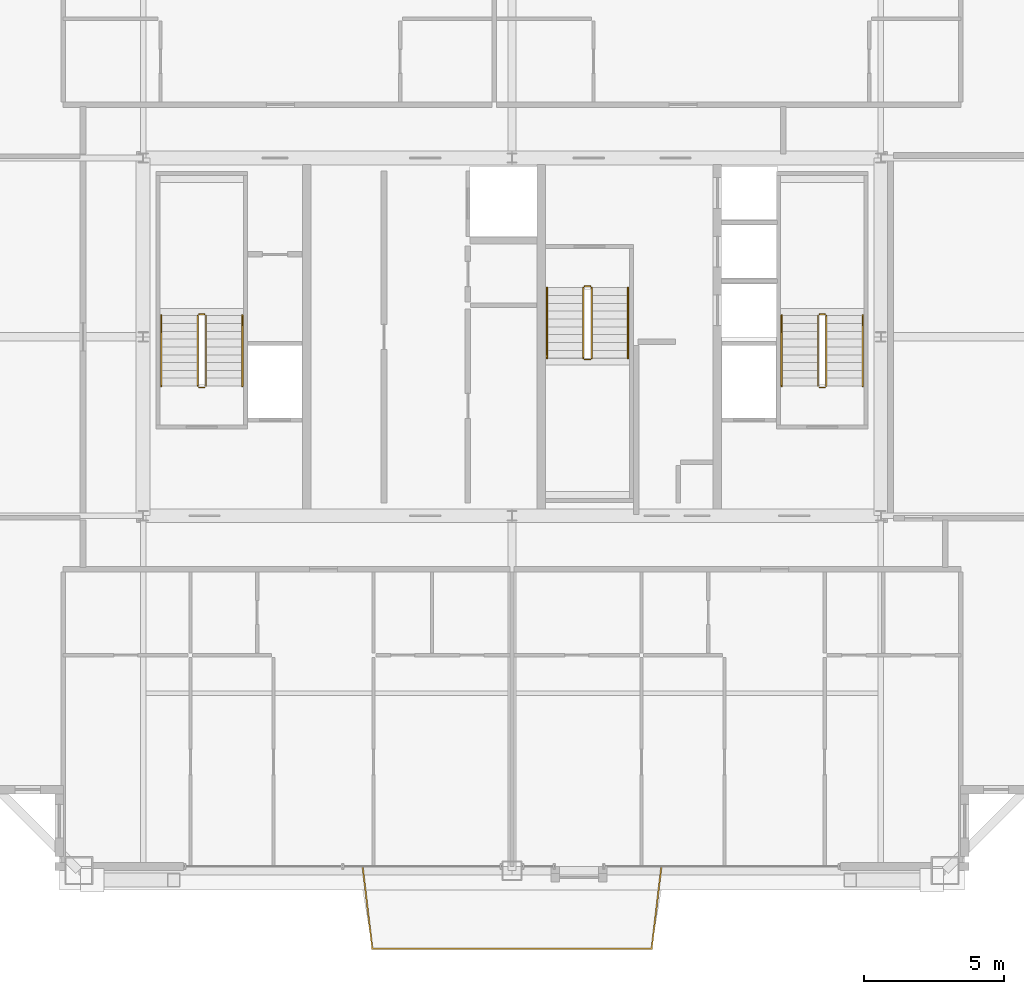
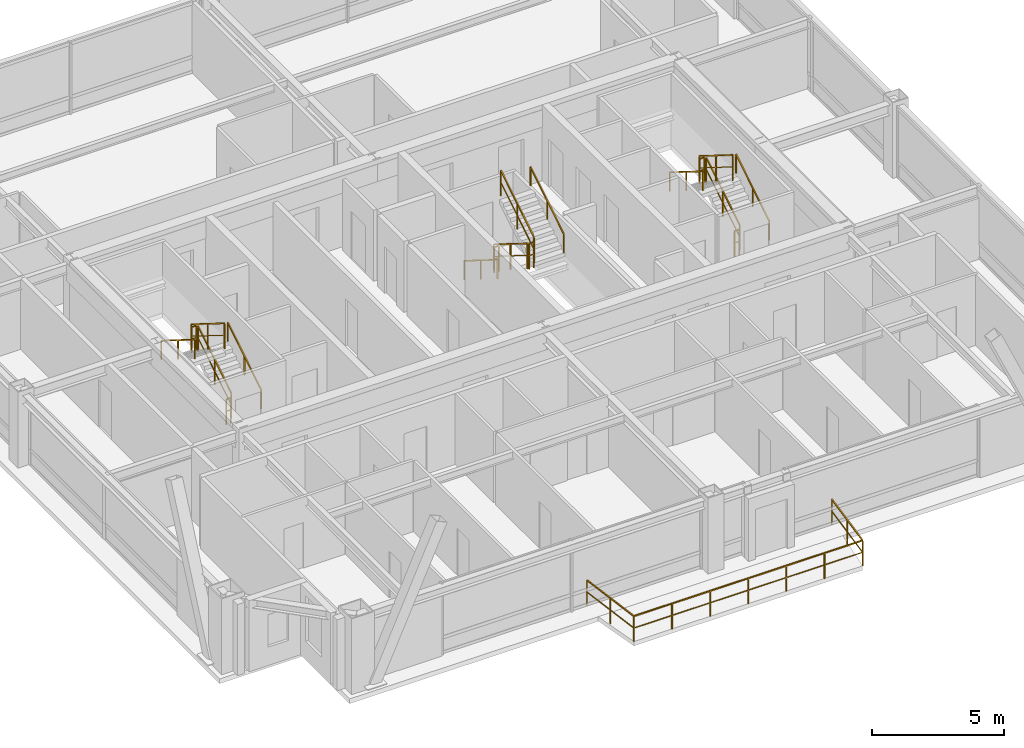
# One storey, part 34 of 34: 19 railings.
"""IFC4 building model written with IfcOpenShell, lengths in metres."""

from ifc_helpers import new_model, si_unit, direction, frame, origin, origin_2d, place, context, subcontext, project, spatial, rectangle, extrude, source, transform, mapped, material, layer, layer_set, type_object, element, save


model = new_model("IFC4")

# Units and contexts
model_context = context("Model", 3, precision=1e-05, world=origin(), true_north=direction((0.0, 1.0)))
body_context = subcontext(model_context, "Body", "Model", "MODEL_VIEW")
ifc_project = project(units=[si_unit("LENGTHUNIT", "METRE"), si_unit("AREAUNIT", "SQUARE_METRE"), si_unit("VOLUMEUNIT", "CUBIC_METRE"), si_unit("PLANEANGLEUNIT", "RADIAN"), si_unit("MASSUNIT", "GRAM", prefix="KILO"), si_unit("THERMODYNAMICTEMPERATUREUNIT", "KELVIN"), si_unit("POWERUNIT", "WATT")], contexts=[model_context])

# Site, building, storey
site_placement = place(None, origin())
site = spatial("IfcSite", under=ifc_project, at=site_placement, CompositionType="ELEMENT")
building_placement = place(site_placement, origin())
building = spatial("IfcBuilding", under=site, at=building_placement, Name="Yuzanri Waterfront Tower", CompositionType="ELEMENT")
storey_placement = place(building_placement, frame((0.0, 0.0, 328.699951171875)))
storey = spatial("IfcBuildingStorey", under=building, at=storey_placement, Name="L88", CompositionType="ELEMENT", Elevation=328.699951171875)

# Railings
ifc_material_1 = material(Name="Anodized Architectural Bronze", Category="metal")
ifc_layer_1 = layer(ifc_material_1, 0.080078125)
ifc_layer_set_1 = layer_set([ifc_layer_1], Name="Anodized Architectural Bronze")
railing_type_1 = type_object("IfcRailingType", Name="Laminated Glass and Bronze Balcony Guardrail 1200", PredefinedType="BALUSTRADE", material=ifc_layer_set_1)
shared_shape_1 = source(origin(), body_context, "Body", "SweptSolid", [
    extrude(rectangle(XDim=0.050048828125, YDim=0.050048828125, at=origin_2d()), frame((0.0, 0.0, 1.1748046875), z_axis=(0.117799878302, -0.993037355124, 0.0), x_axis=(0.993037355124, 0.117799878302, 0.0)), (0.0, 0.0, 1.0), 2.969970703125),
    extrude(rectangle(XDim=0.035888671875, YDim=0.030029296875, at=origin_2d()), frame((0.0, 0.0, 0.6240234375), z_axis=(0.117799878302, -0.993037355124, 0.0), x_axis=(0.993037355124, 0.117799878302, 0.0)), (0.0, 0.0, 1.0), 2.969970703125),
    extrude(rectangle(XDim=0.050048828125, YDim=0.050048828125, at=origin_2d()), frame((0.349853515625, -2.94921875, 1.1748046875), z_axis=(1.0, 0.0, 0.0), x_axis=(0.0, 1.0, 0.0)), (0.0, 0.0, 1.0), 9.9912109375),
    extrude(rectangle(XDim=0.035888671875, YDim=0.030029296875, at=origin_2d()), frame((0.349853515625, -2.94921875, 0.6240234375), z_axis=(1.0, 0.0, 0.0), x_axis=(0.0, 1.0, 0.0)), (0.0, 0.0, 1.0), 9.9912109375),
    extrude(rectangle(XDim=0.050048828125, YDim=0.050048828125, at=origin_2d()), frame((10.341064453125, -2.94921875, 1.1748046875), z_axis=(0.117799878302, 0.993037355124, 0.0), x_axis=(-0.993037355124, 0.117799878302, 0.0)), (0.0, 0.0, 1.0), 2.969970703125),
    extrude(rectangle(XDim=0.035888671875, YDim=0.030029296875, at=origin_2d()), frame((10.341064453125, -2.94921875, 0.6240234375), z_axis=(0.117799878302, 0.993037355124, 0.0), x_axis=(-0.993037355124, 0.117799878302, 0.0)), (0.0, 0.0, 1.0), 2.969970703125),
    extrude(rectangle(XDim=0.0458984375, YDim=0.0458984375, at=origin_2d()), origin(), (0.0, 0.0, 1.0), 1.14990234375),
    extrude(rectangle(XDim=0.0458984375, YDim=0.0458984375, at=origin_2d()), frame((0.1748046875, -1.474609375, 0.0)), (0.0, 0.0, 1.0), 1.14990234375),
    extrude(rectangle(XDim=0.0458984375, YDim=0.0458984375, at=origin_2d()), frame((0.349853515625, -2.94921875, 0.0)), (0.0, 0.0, 1.0), 1.14990234375),
    extrude(rectangle(XDim=0.0458984375, YDim=0.0458984375, at=origin_2d()), frame((2.01513671875, -2.94921875, 0.0)), (0.0, 0.0, 1.0), 1.14990234375),
    extrude(rectangle(XDim=0.0458984375, YDim=0.0458984375, at=origin_2d()), frame((3.68017578125, -2.94921875, 0.0)), (0.0, 0.0, 1.0), 1.14990234375),
    extrude(rectangle(XDim=0.0458984375, YDim=0.0458984375, at=origin_2d()), frame((5.345458984375, -2.94921875, 0.0)), (0.0, 0.0, 1.0), 1.14990234375),
    extrude(rectangle(XDim=0.0458984375, YDim=0.0458984375, at=origin_2d()), frame((7.0107421875, -2.94921875, 0.0)), (0.0, 0.0, 1.0), 1.14990234375),
    extrude(rectangle(XDim=0.0458984375, YDim=0.0458984375, at=origin_2d()), frame((8.67578125, -2.94921875, 0.0)), (0.0, 0.0, 1.0), 1.14990234375),
    extrude(rectangle(XDim=0.0458984375, YDim=0.0458984375, at=origin_2d()), frame((10.341064453125, -2.94921875, 0.0)), (0.0, 0.0, 1.0), 1.14990234375),
    extrude(rectangle(XDim=0.0458984375, YDim=0.0458984375, at=origin_2d()), frame((10.51611328125, -1.474609375, 0.0)), (0.0, 0.0, 1.0), 1.14990234375),
    extrude(rectangle(XDim=0.0458984375, YDim=0.0458984375, at=origin_2d()), frame((10.69091796875, 0.0, 0.0)), (0.0, 0.0, 1.0), 1.14990234375),
])
railing_placement = place(storey_placement, frame((31.654541015625, 6.85009765625, 0.0)))
element("IfcRailing", 1, at=railing_placement, inside=storey, type_object=railing_type_1, Name="L88 S Engawa Terrace Guardrail", PredefinedType="BALUSTRADE", context=body_context, shape_type="MappedRepresentation", body=[
    mapped(shared_shape_1, transform((0.0, 0.0, 0.0), scale=1.0)),
])
ifc_material_2 = material(Name="Painted Galvanized Fire Steel", Category="steel")
ifc_layer_2 = layer(ifc_material_2, 0.06005859375)
ifc_layer_set_2 = layer_set([ifc_layer_2], Name="Painted Galvanized Fire Steel")
railing_type_2 = type_object("IfcRailingType", Name="Painted Steel Stairwell Guardrail 1120", PredefinedType="GUARDRAIL", material=ifc_layer_set_2)
shared_shape_2 = source(origin(), body_context, "Body", "SweptSolid", [
    extrude(rectangle(XDim=0.050048828125, YDim=0.050048828125, at=origin_2d()), frame((0.0, 0.0, 1.1748046875), z_axis=(-1.0, 0.0, 0.0), x_axis=(0.0, -1.0, 0.0)), (0.0, 0.0, 1.0), 0.199951171875),
    extrude(rectangle(XDim=0.035888671875, YDim=0.030029296875, at=origin_2d()), frame((0.0, 0.0, 0.6240234375), z_axis=(-1.0, 0.0, 0.0), x_axis=(0.0, -1.0, 0.0)), (0.0, 0.0, 1.0), 0.199951171875),
    extrude(rectangle(XDim=0.0458984375, YDim=0.0458984375, at=origin_2d()), origin(), (0.0, 0.0, 1.0), 1.14990234375),
    extrude(rectangle(XDim=0.0458984375, YDim=0.0458984375, at=origin_2d()), frame((-0.199951171875, 0.0, 0.0)), (0.0, 0.0, 1.0), 1.14990234375),
])
for number, where, name in (
    (2, (26.0, 26.610107421875, 1.75), "L88 ST-01 stair guard 2"),
    (3, (26.0, 23.989990234375, 0.0), "L88 ST-01 stair guard 4"),
    (4, (48.199951171875, 26.610107421875, 1.75), "L88 ST-02 stair guard 2"),
    (5, (48.199951171875, 23.989990234375, 0.0), "L88 ST-02 stair guard 4"),
):
    element("IfcRailing", number, at=place(storey_placement, frame(where)), inside=storey, type_object=railing_type_2, Name=name, PredefinedType="GUARDRAIL", context=body_context, shape_type="MappedRepresentation", body=[
        mapped(shared_shape_2, transform((0.0, 0.0, 0.0), scale=1.0)),
    ])
shared_shape_3 = source(origin(), body_context, "Body", "SweptSolid", [
    extrude(rectangle(XDim=0.050048828125, YDim=0.050048828125, at=origin_2d()), frame((0.0, 0.0, 1.1748046875), z_axis=(0.0, 0.848007534815, 0.529984170421), x_axis=(-1.0, 0.0, 0.0)), (0.0, 0.0, 1.0), 2.9716796875),
    extrude(rectangle(XDim=0.035888671875, YDim=0.030029296875, at=origin_2d()), frame((0.0, 0.0, 0.6240234375), z_axis=(0.0, 0.848007534815, 0.529984170421), x_axis=(-1.0, 0.0, 0.0)), (0.0, 0.0, 1.0), 2.9716796875),
    extrude(rectangle(XDim=0.0458984375, YDim=0.0458984375, at=origin_2d()), origin(), (0.0, 0.0, 1.0), 1.14990234375),
    extrude(rectangle(XDim=0.0458984375, YDim=0.0458984375, at=origin_2d()), frame((0.0, 1.260009765625, 0.78759765625)), (0.0, 0.0, 1.0), 1.14990234375),
    extrude(rectangle(XDim=0.0458984375, YDim=0.0458984375, at=origin_2d()), frame((0.0, 2.52001953125, 1.574951171875)), (0.0, 0.0, 1.0), 1.14990234375),
])
for number, where, name in (
    (6, (26.050048828125, 24.0400390625, 0.175048828125), "L88 ST-01 stair guard 1"),
    (7, (48.25, 24.0400390625, 0.175048828125), "L88 ST-02 stair guard 1"),
    (8, (39.85009765625, 25.0400390625, 1.925048828125), "L88 ST-03 stair guard 3"),
):
    element("IfcRailing", number, at=place(storey_placement, frame(where)), inside=storey, type_object=railing_type_2, Name=name, PredefinedType="GUARDRAIL", context=body_context, shape_type="MappedRepresentation", body=[
        mapped(shared_shape_3, transform((0.0, 0.0, 0.0), scale=1.0)),
    ])
shared_shape_4 = source(origin(), body_context, "Body", "SweptSolid", [
    extrude(rectangle(XDim=0.050048828125, YDim=0.050048828125, at=origin_2d()), frame((0.0, 0.0, 1.1748046875), z_axis=(0.0, -0.848007534815, 0.529984170421), x_axis=(1.0, 0.0, 0.0)), (0.0, 0.0, 1.0), 2.9716796875),
    extrude(rectangle(XDim=0.035888671875, YDim=0.030029296875, at=origin_2d()), frame((0.0, 0.0, 0.6240234375), z_axis=(0.0, -0.848007534815, 0.529984170421), x_axis=(1.0, 0.0, 0.0)), (0.0, 0.0, 1.0), 2.9716796875),
    extrude(rectangle(XDim=0.0458984375, YDim=0.0458984375, at=origin_2d()), origin(), (0.0, 0.0, 1.0), 1.14990234375),
    extrude(rectangle(XDim=0.0458984375, YDim=0.0458984375, at=origin_2d()), frame((0.0, -1.260009765625, 0.78759765625)), (0.0, 0.0, 1.0), 1.14990234375),
    extrude(rectangle(XDim=0.0458984375, YDim=0.0458984375, at=origin_2d()), frame((0.0, -2.52001953125, 1.574951171875)), (0.0, 0.0, 1.0), 1.14990234375),
])
for number, where, name in (
    (9, (25.75, 26.56005859375, 1.925048828125), "L88 ST-01 stair guard 3"),
    (10, (47.949951171875, 26.56005859375, 1.925048828125), "L88 ST-02 stair guard 3"),
    (11, (39.550048828125, 27.56005859375, 0.175048828125), "L88 ST-03 stair guard 1"),
):
    element("IfcRailing", number, at=place(storey_placement, frame(where)), inside=storey, type_object=railing_type_2, Name=name, PredefinedType="GUARDRAIL", context=body_context, shape_type="MappedRepresentation", body=[
        mapped(shared_shape_4, transform((0.0, 0.0, 0.0), scale=1.0)),
    ])
ifc_material_3 = material(Name="Anodized Architectural Bronze", Category="metal")
ifc_layer_3 = layer(ifc_material_3, 0.050048828125)
ifc_layer_set_3 = layer_set([ifc_layer_3], Name="Anodized Architectural Bronze")
railing_type_3 = type_object("IfcRailingType", Name="Brushed Bronze Stair Pitch Handrail 920", PredefinedType="HANDRAIL", material=ifc_layer_set_3)
shared_shape_5 = source(origin(), body_context, "Body", "SweptSolid", [
    extrude(rectangle(XDim=0.050048828125, YDim=0.050048828125, at=origin_2d()), frame((0.0, 0.0, 0.875), z_axis=(0.0, 0.848007534815, 0.529984170421), x_axis=(-1.0, 0.0, 0.0)), (0.0, 0.0, 1.0), 2.9716796875),
    extrude(rectangle(XDim=0.0458984375, YDim=0.0458984375, at=origin_2d()), origin(), (0.0, 0.0, 1.0), 0.849853515625),
    extrude(rectangle(XDim=0.0458984375, YDim=0.0458984375, at=origin_2d()), frame((0.0, 1.260009765625, 0.78759765625)), (0.0, 0.0, 1.0), 0.849853515625),
    extrude(rectangle(XDim=0.0458984375, YDim=0.0458984375, at=origin_2d()), frame((0.0, 2.52001953125, 1.574951171875)), (0.0, 0.0, 1.0), 0.849853515625),
])
for number, where, name in (
    (12, (27.35009765625, 24.0400390625, 0.175048828125), "L88 ST-01 stair handrail 1"),
    (13, (49.550048828125, 24.0400390625, 0.175048828125), "L88 ST-02 stair handrail 1"),
    (14, (41.14990234375, 25.0400390625, 1.925048828125), "L88 ST-03 stair handrail 2"),
):
    element("IfcRailing", number, at=place(storey_placement, frame(where)), inside=storey, type_object=railing_type_3, Name=name, PredefinedType="HANDRAIL", context=body_context, shape_type="MappedRepresentation", body=[
        mapped(shared_shape_5, transform((0.0, 0.0, 0.0), scale=1.0)),
    ])
shared_shape_6 = source(origin(), body_context, "Body", "SweptSolid", [
    extrude(rectangle(XDim=0.050048828125, YDim=0.050048828125, at=origin_2d()), frame((0.0, 0.0, 0.875), z_axis=(0.0, -0.848007534815, 0.529984170421), x_axis=(1.0, 0.0, 0.0)), (0.0, 0.0, 1.0), 2.9716796875),
    extrude(rectangle(XDim=0.0458984375, YDim=0.0458984375, at=origin_2d()), origin(), (0.0, 0.0, 1.0), 0.849853515625),
    extrude(rectangle(XDim=0.0458984375, YDim=0.0458984375, at=origin_2d()), frame((0.0, -1.260009765625, 0.78759765625)), (0.0, 0.0, 1.0), 0.849853515625),
    extrude(rectangle(XDim=0.0458984375, YDim=0.0458984375, at=origin_2d()), frame((0.0, -2.52001953125, 1.574951171875)), (0.0, 0.0, 1.0), 0.849853515625),
])
for number, where, name in (
    (15, (24.449951171875, 26.56005859375, 1.925048828125), "L88 ST-01 stair handrail 2"),
    (16, (46.64990234375, 26.56005859375, 1.925048828125), "L88 ST-02 stair handrail 2"),
    (17, (38.25, 27.56005859375, 0.175048828125), "L88 ST-03 stair handrail 1"),
):
    element("IfcRailing", number, at=place(storey_placement, frame(where)), inside=storey, type_object=railing_type_3, Name=name, PredefinedType="HANDRAIL", context=body_context, shape_type="MappedRepresentation", body=[
        mapped(shared_shape_6, transform((0.0, 0.0, 0.0), scale=1.0)),
    ])
shared_shape_7 = source(origin(), body_context, "Body", "SweptSolid", [
    extrude(rectangle(XDim=0.050048828125, YDim=0.050048828125, at=origin_2d()), frame((0.0, 0.0, 1.1748046875), z_axis=(1.0, 0.0, 0.0), x_axis=(0.0, 1.0, 0.0)), (0.0, 0.0, 1.0), 0.199951171875),
    extrude(rectangle(XDim=0.035888671875, YDim=0.030029296875, at=origin_2d()), frame((0.0, 0.0, 0.6240234375), z_axis=(1.0, 0.0, 0.0), x_axis=(0.0, 1.0, 0.0)), (0.0, 0.0, 1.0), 0.199951171875),
    extrude(rectangle(XDim=0.0458984375, YDim=0.0458984375, at=origin_2d()), origin(), (0.0, 0.0, 1.0), 1.14990234375),
    extrude(rectangle(XDim=0.0458984375, YDim=0.0458984375, at=origin_2d()), frame((0.199951171875, 0.0, 0.0)), (0.0, 0.0, 1.0), 1.14990234375),
])
for number, where, name in (
    (18, (39.60009765625, 24.989990234375, 1.75), "L88 ST-03 stair guard 2"),
    (19, (39.60009765625, 27.610107421875, 0.0), "L88 ST-03 stair guard 4"),
):
    element("IfcRailing", number, at=place(storey_placement, frame(where)), inside=storey, type_object=railing_type_2, Name=name, PredefinedType="GUARDRAIL", context=body_context, shape_type="MappedRepresentation", body=[
        mapped(shared_shape_7, transform((0.0, 0.0, 0.0), scale=1.0)),
    ])

save(model, "model.ifc")
